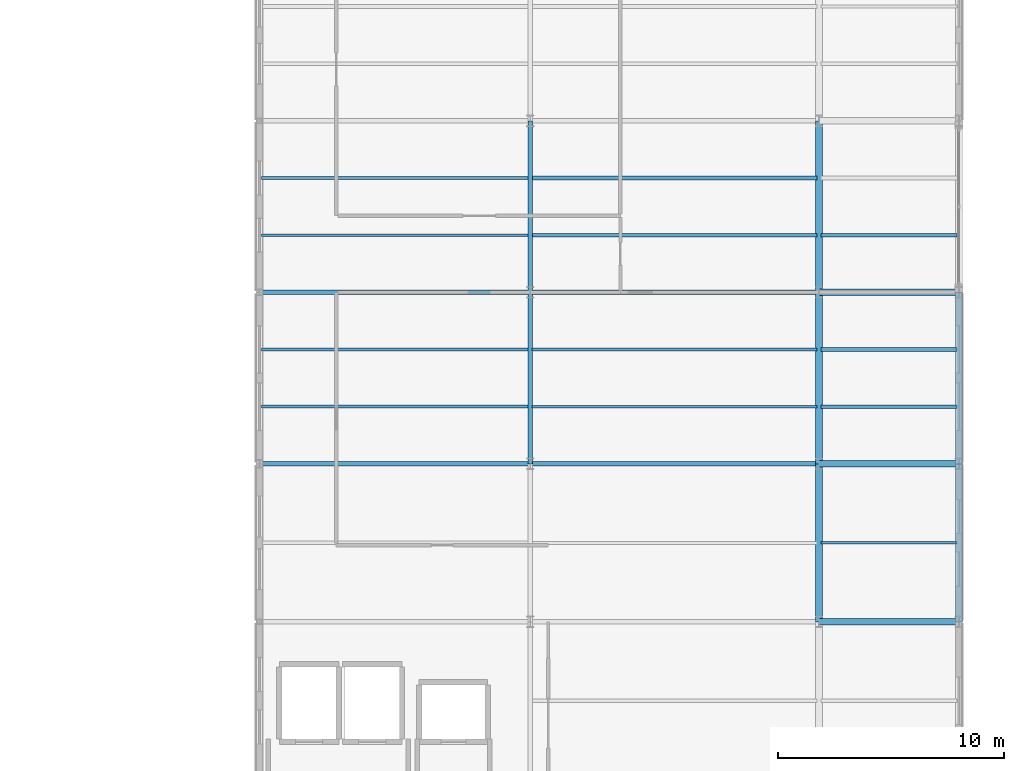
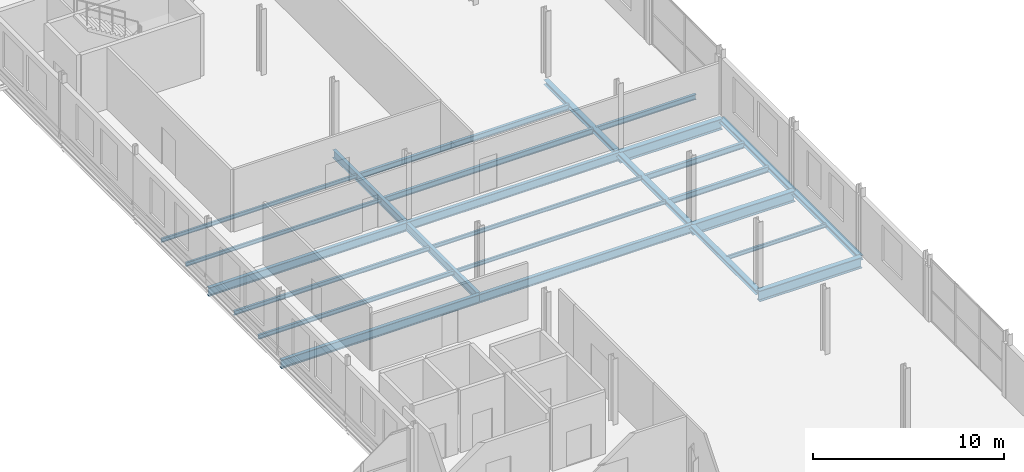
# One storey, part 65 of 101: 26 beams.
"""IFC4 building model written with IfcOpenShell, lengths in metres."""

from ifc_helpers import new_model, si_unit, direction, frame, origin, origin_2d, place, context, subcontext, project, spatial, i_section, extrude, material, material_profile, profile_set, type_object, element, save


model = new_model("IFC4")

# Units and contexts
model_context = context("Model", 3, precision=1e-05, world=origin(), true_north=direction((0.0, 1.0)))
body_context = subcontext(model_context, "Body", "Model", "MODEL_VIEW")
ifc_project = project(units=[si_unit("LENGTHUNIT", "METRE"), si_unit("AREAUNIT", "SQUARE_METRE"), si_unit("VOLUMEUNIT", "CUBIC_METRE"), si_unit("PLANEANGLEUNIT", "RADIAN"), si_unit("MASSUNIT", "GRAM", prefix="KILO")], contexts=[model_context])

# Site, building, storey
site_placement = place(None, origin())
site = spatial("IfcSite", under=ifc_project, at=site_placement, CompositionType="ELEMENT")
building_placement = place(site_placement, origin())
building = spatial("IfcBuilding", under=site, at=building_placement, Name="Vekula Escarpment Museum", CompositionType="ELEMENT")
storey_placement = place(building_placement, frame((0.0, 0.0, 18.0)))
storey = spatial("IfcBuildingStorey", under=building, at=storey_placement, Name="L04", CompositionType="ELEMENT", Elevation=18.0)

# Beams
ifc_material_1 = material(Name="Steel S355", Category="steel")
ifc_material_profile_1 = material_profile(ifc_material_1, i_section(OverallWidth=0.300048828125, OverallDepth=0.699951171875, WebThickness=0.01708984375, FlangeThickness=0.031982421875, FilletRadius=0.027099609375, at=origin_2d()), Name="HEB 700")
ifc_profile_set_1 = profile_set([ifc_material_profile_1], Name="Steel S355")
beam_type_1 = type_object("IfcBeamType", Name="BM-GIRD-HEB700", PredefinedType="BEAM", material=ifc_profile_set_1)
for number, where, z_axis, x_axis, name in (
    (1, (191.800048828125, 83.39990234375, -0.6298828125), (1.0, 0.0, 0.0), (0.0, 1.0, 0.0), "Beam X L04 1780"),
    (2, (191.800048828125, 90.39990234375, -0.6298828125), (1.0, 0.0, 0.0), (0.0, 1.0, 0.0), "Beam X L04 1791"),
    (3, (191.800048828125, 98.0, -0.6298828125), (1.0, 0.0, 0.0), (0.0, 1.0, 0.0), "Beam X L04 1795"),
):
    element("IfcBeam", number, at=place(storey_placement, frame(where, z_axis=z_axis, x_axis=x_axis)), inside=storey, type_object=beam_type_1, Name=name, PredefinedType="BEAM", context=body_context, shape_type="SweptSolid", body=[
        extrude(i_section(OverallWidth=0.300048828125, OverallDepth=0.699951171875, WebThickness=0.01708984375, FlangeThickness=0.031982421875, FilletRadius=0.027099609375, at=origin_2d()), origin(), (0.0, 0.0, 1.0), 6.199951171875),
    ])
ifc_material_2 = material(Name="Steel S355", Category="steel")
ifc_material_profile_2 = material_profile(ifc_material_2, i_section(OverallWidth=0.199951171875, OverallDepth=0.5, WebThickness=0.01025390625, FlangeThickness=0.01611328125, FilletRadius=0.02099609375, at=origin_2d()), Name="IPE 500")
ifc_profile_set_2 = profile_set([ifc_material_profile_2], Name="Steel S355")
beam_type_2 = type_object("IfcBeamType", Name="BM-GIRD-IPE500", PredefinedType="BEAM", material=ifc_profile_set_2)
for number, where, z_axis, x_axis, name in (
    (4, (179.0, 90.39990234375, -0.530029296875), (0.0, 1.0, 0.0), (-1.0, 0.0, 0.0), "Beam Y L04 1935"),
    (5, (179.0, 98.0, -0.530029296875), (0.0, 1.0, 0.0), (-1.0, 0.0, 0.0), "Beam Y L04 1936"),
):
    element("IfcBeam", number, at=place(storey_placement, frame(where, z_axis=z_axis, x_axis=x_axis)), inside=storey, type_object=beam_type_2, Name=name, PredefinedType="BEAM", context=body_context, shape_type="SweptSolid", body=[
        extrude(i_section(OverallWidth=0.199951171875, OverallDepth=0.5, WebThickness=0.01025390625, FlangeThickness=0.01611328125, FilletRadius=0.02099609375, at=origin_2d()), origin(), (0.0, 0.0, 1.0), 7.60009765625),
    ])
ifc_material_3 = material(Name="Steel S355", Category="steel")
ifc_material_profile_3 = material_profile(ifc_material_3, i_section(OverallWidth=0.2099609375, OverallDepth=0.550048828125, WebThickness=0.010986328125, FlangeThickness=0.01708984375, FilletRadius=0.02392578125, at=origin_2d()), Name="IPE 550")
ifc_profile_set_3 = profile_set([ifc_material_profile_3], Name="Steel S355")
beam_type_3 = type_object("IfcBeamType", Name="BM-GIRD-IPE550", PredefinedType="BEAM", material=ifc_profile_set_3)
beam_1_placement = place(storey_placement, frame((167.0, 90.39990234375, -0.554931640625), z_axis=(1.0, 0.0, 0.0), x_axis=(0.0, 1.0, 0.0)))
element("IfcBeam", 6, at=beam_1_placement, inside=storey, type_object=beam_type_3, Name="Beam X L04 1789", PredefinedType="BEAM", context=body_context, shape_type="SweptSolid", body=[
    extrude(i_section(OverallWidth=0.2099609375, OverallDepth=0.550048828125, WebThickness=0.010986328125, FlangeThickness=0.01708984375, FilletRadius=0.02392578125, at=origin_2d()), origin(), (0.0, 0.0, 1.0), 12.0),
])
beam_2_placement = place(storey_placement, frame((179.0, 90.39990234375, -0.554931640625), z_axis=(1.0, 0.0, 0.0), x_axis=(0.0, 1.0, 0.0)))
element("IfcBeam", 7, at=beam_2_placement, inside=storey, type_object=beam_type_3, Name="Beam X L04 1790", PredefinedType="BEAM", context=body_context, shape_type="SweptSolid", body=[
    extrude(i_section(OverallWidth=0.2099609375, OverallDepth=0.550048828125, WebThickness=0.010986328125, FlangeThickness=0.01708984375, FilletRadius=0.02392578125, at=origin_2d()), origin(), (0.0, 0.0, 1.0), 12.800048828125),
])
beam_3_placement = place(storey_placement, frame((167.0, 98.0, -0.554931640625), z_axis=(1.0, 0.0, 0.0), x_axis=(0.0, 1.0, 0.0)))
element("IfcBeam", 8, at=beam_3_placement, inside=storey, type_object=beam_type_3, Name="Beam X L04 1793", PredefinedType="BEAM", context=body_context, shape_type="SweptSolid", body=[
    extrude(i_section(OverallWidth=0.2099609375, OverallDepth=0.550048828125, WebThickness=0.010986328125, FlangeThickness=0.01708984375, FilletRadius=0.02392578125, at=origin_2d()), origin(), (0.0, 0.0, 1.0), 12.0),
])
beam_4_placement = place(storey_placement, frame((179.0, 98.0, -0.554931640625), z_axis=(1.0, 0.0, 0.0), x_axis=(0.0, 1.0, 0.0)))
element("IfcBeam", 9, at=beam_4_placement, inside=storey, type_object=beam_type_3, Name="Beam X L04 1794", PredefinedType="BEAM", context=body_context, shape_type="SweptSolid", body=[
    extrude(i_section(OverallWidth=0.2099609375, OverallDepth=0.550048828125, WebThickness=0.010986328125, FlangeThickness=0.01708984375, FilletRadius=0.02392578125, at=origin_2d()), origin(), (0.0, 0.0, 1.0), 12.800048828125),
])
ifc_material_4 = material(Name="Steel S355", Category="steel")
ifc_material_profile_4 = material_profile(ifc_material_4, i_section(OverallWidth=0.1201171875, OverallDepth=0.239990234375, WebThickness=0.006103515625, FlangeThickness=0.009765625, FilletRadius=0.014892578125, at=origin_2d()), Name="IPE 240")
ifc_profile_set_4 = profile_set([ifc_material_profile_4], Name="Steel S355")
beam_type_4 = type_object("IfcBeamType", Name="BM-JST-IPE240", PredefinedType="JOIST", material=ifc_profile_set_4)
for number, where, z_axis, x_axis, name in (
    (10, (167.090087890625, 100.533203125, -0.39990234375), (1.0, 0.0, 0.0), (0.0, 1.0, 0.0), "Secondary Joist L04 1253"),
    (11, (167.090087890625, 103.066650390625, -0.39990234375), (1.0, 0.0, 0.0), (0.0, 1.0, 0.0), "Secondary Joist L04 1254"),
):
    element("IfcBeam", number, at=place(storey_placement, frame(where, z_axis=z_axis, x_axis=x_axis)), inside=storey, type_object=beam_type_4, Name=name, PredefinedType="JOIST", context=body_context, shape_type="SweptSolid", body=[
        extrude(i_section(OverallWidth=0.1201171875, OverallDepth=0.239990234375, WebThickness=0.006103515625, FlangeThickness=0.009765625, FilletRadius=0.014892578125, at=origin_2d()), origin(), (0.0, 0.0, 1.0), 11.81982421875),
    ])
for number, where, z_axis, x_axis, name in (
    (12, (179.090087890625, 92.933349609375, -0.39990234375), (1.0, 0.0, 0.0), (0.0, 1.0, 0.0), "Secondary Joist L04 1266"),
    (13, (179.090087890625, 95.466796875, -0.39990234375), (1.0, 0.0, 0.0), (0.0, 1.0, 0.0), "Secondary Joist L04 1267"),
):
    element("IfcBeam", number, at=place(storey_placement, frame(where, z_axis=z_axis, x_axis=x_axis)), inside=storey, type_object=beam_type_4, Name=name, PredefinedType="JOIST", context=body_context, shape_type="SweptSolid", body=[
        extrude(i_section(OverallWidth=0.1201171875, OverallDepth=0.239990234375, WebThickness=0.006103515625, FlangeThickness=0.009765625, FilletRadius=0.014892578125, at=origin_2d()), origin(), (0.0, 0.0, 1.0), 12.619873046875),
    ])
beam_5_placement = place(storey_placement, frame((191.889892578125, 86.89990234375, -0.39990234375), z_axis=(1.0, 0.0, 0.0), x_axis=(0.0, 1.0, 0.0)))
element("IfcBeam", 14, at=beam_5_placement, inside=storey, type_object=beam_type_4, Name="Secondary Joist L04 1281", PredefinedType="JOIST", context=body_context, shape_type="SweptSolid", body=[
    extrude(i_section(OverallWidth=0.1201171875, OverallDepth=0.239990234375, WebThickness=0.006103515625, FlangeThickness=0.009765625, FilletRadius=0.014892578125, at=origin_2d()), origin(), (0.0, 0.0, 1.0), 6.02001953125),
])
ifc_material_5 = material(Name="Steel S355", Category="steel")
ifc_material_profile_5 = material_profile(ifc_material_5, i_section(OverallWidth=0.135009765625, OverallDepth=0.27001953125, WebThickness=0.006591796875, FlangeThickness=0.01025390625, FilletRadius=0.014892578125, at=origin_2d()), Name="IPE 270")
ifc_profile_set_5 = profile_set([ifc_material_profile_5], Name="Steel S355")
beam_type_5 = type_object("IfcBeamType", Name="BM-JST-IPE270", PredefinedType="JOIST", material=ifc_profile_set_5)
for number, where, z_axis, x_axis, name in (
    (15, (167.090087890625, 92.933349609375, -0.4150390625), (1.0, 0.0, 0.0), (0.0, 1.0, 0.0), "Secondary Joist L04 1251"),
    (16, (167.090087890625, 95.466796875, -0.4150390625), (1.0, 0.0, 0.0), (0.0, 1.0, 0.0), "Secondary Joist L04 1252"),
):
    element("IfcBeam", number, at=place(storey_placement, frame(where, z_axis=z_axis, x_axis=x_axis)), inside=storey, type_object=beam_type_5, Name=name, PredefinedType="JOIST", context=body_context, shape_type="SweptSolid", body=[
        extrude(i_section(OverallWidth=0.135009765625, OverallDepth=0.27001953125, WebThickness=0.006591796875, FlangeThickness=0.01025390625, FilletRadius=0.014892578125, at=origin_2d()), origin(), (0.0, 0.0, 1.0), 11.81982421875),
    ])
ifc_material_6 = material(Name="Steel S355", Category="steel")
ifc_material_profile_6 = material_profile(ifc_material_6, i_section(OverallWidth=0.159912109375, OverallDepth=0.330078125, WebThickness=0.007568359375, FlangeThickness=0.011474609375, FilletRadius=0.01806640625, at=origin_2d()), Name="IPE 330")
ifc_profile_set_6 = profile_set([ifc_material_profile_6], Name="Steel S355")
beam_type_6 = type_object("IfcBeamType", Name="BM-JST-IPE330", PredefinedType="JOIST", material=ifc_profile_set_6)
beam_6_placement = place(storey_placement, frame((191.889892578125, 100.533203125, -0.445068359375), z_axis=(1.0, 0.0, 0.0), x_axis=(0.0, 1.0, 0.0)))
element("IfcBeam", 17, at=beam_6_placement, inside=storey, type_object=beam_type_6, Name="Secondary Joist L04 1284", PredefinedType="JOIST", context=body_context, shape_type="SweptSolid", body=[
    extrude(i_section(OverallWidth=0.159912109375, OverallDepth=0.330078125, WebThickness=0.007568359375, FlangeThickness=0.011474609375, FilletRadius=0.01806640625, at=origin_2d()), origin(), (0.0, 0.0, 1.0), 6.02001953125),
])
ifc_material_7 = material(Name="Steel S355", Category="steel")
ifc_material_profile_7 = material_profile(ifc_material_7, i_section(OverallWidth=0.169921875, OverallDepth=0.360107421875, WebThickness=0.008056640625, FlangeThickness=0.0126953125, FilletRadius=0.01806640625, at=origin_2d()), Name="IPE 360")
ifc_profile_set_7 = profile_set([ifc_material_profile_7], Name="Steel S355")
beam_type_7 = type_object("IfcBeamType", Name="BM-JST-IPE360", PredefinedType="JOIST", material=ifc_profile_set_7)
for number, where, z_axis, x_axis, name in (
    (18, (179.090087890625, 100.533203125, -0.4599609375), (1.0, 0.0, 0.0), (0.0, 1.0, 0.0), "Secondary Joist L04 1268"),
    (19, (179.090087890625, 103.066650390625, -0.4599609375), (1.0, 0.0, 0.0), (0.0, 1.0, 0.0), "Secondary Joist L04 1269"),
):
    element("IfcBeam", number, at=place(storey_placement, frame(where, z_axis=z_axis, x_axis=x_axis)), inside=storey, type_object=beam_type_7, Name=name, PredefinedType="JOIST", context=body_context, shape_type="SweptSolid", body=[
        extrude(i_section(OverallWidth=0.169921875, OverallDepth=0.360107421875, WebThickness=0.008056640625, FlangeThickness=0.0126953125, FilletRadius=0.01806640625, at=origin_2d()), origin(), (0.0, 0.0, 1.0), 12.619873046875),
    ])
for number, where, z_axis, x_axis, name in (
    (20, (191.889892578125, 92.933349609375, -0.4599609375), (1.0, 0.0, 0.0), (0.0, 1.0, 0.0), "Secondary Joist L04 1282"),
    (21, (191.889892578125, 95.466796875, -0.4599609375), (1.0, 0.0, 0.0), (0.0, 1.0, 0.0), "Secondary Joist L04 1283"),
):
    element("IfcBeam", number, at=place(storey_placement, frame(where, z_axis=z_axis, x_axis=x_axis)), inside=storey, type_object=beam_type_7, Name=name, PredefinedType="JOIST", context=body_context, shape_type="SweptSolid", body=[
        extrude(i_section(OverallWidth=0.169921875, OverallDepth=0.360107421875, WebThickness=0.008056640625, FlangeThickness=0.0126953125, FilletRadius=0.01806640625, at=origin_2d()), origin(), (0.0, 0.0, 1.0), 6.02001953125),
    ])
ifc_material_8 = material(Name="Steel S355", Category="steel")
ifc_material_profile_8 = material_profile(ifc_material_8, i_section(OverallWidth=0.300048828125, OverallDepth=0.2900390625, WebThickness=0.008544921875, FlangeThickness=0.013916015625, FilletRadius=0.027099609375, at=origin_2d()), Name="HEA 300")
ifc_profile_set_8 = profile_set([ifc_material_profile_8], Name="Steel S355")
beam_type_8 = type_object("IfcBeamType", Name="BM-SPAN-HEA300", PredefinedType="SPANDREL", material=ifc_profile_set_8)
beam_7_placement = place(storey_placement, frame((191.800048828125, 83.39990234375, -0.425048828125), z_axis=(0.0, 1.0, 0.0), x_axis=(-1.0, 0.0, 0.0)))
element("IfcBeam", 22, at=beam_7_placement, inside=storey, type_object=beam_type_8, Name="Beam Y L04 1944", PredefinedType="SPANDREL", context=body_context, shape_type="SweptSolid", body=[
    extrude(i_section(OverallWidth=0.300048828125, OverallDepth=0.2900390625, WebThickness=0.008544921875, FlangeThickness=0.013916015625, FilletRadius=0.027099609375, at=origin_2d()), origin(), (0.0, 0.0, 1.0), 7.0),
])
for number, where, z_axis, x_axis, name in (
    (23, (191.800048828125, 90.39990234375, -0.425048828125), (0.0, 1.0, 0.0), (-1.0, 0.0, 0.0), "Beam Y L04 1945"),
    (24, (191.800048828125, 98.0, -0.425048828125), (0.0, 1.0, 0.0), (-1.0, 0.0, 0.0), "Beam Y L04 1946"),
):
    element("IfcBeam", number, at=place(storey_placement, frame(where, z_axis=z_axis, x_axis=x_axis)), inside=storey, type_object=beam_type_8, Name=name, PredefinedType="SPANDREL", context=body_context, shape_type="SweptSolid", body=[
        extrude(i_section(OverallWidth=0.300048828125, OverallDepth=0.2900390625, WebThickness=0.008544921875, FlangeThickness=0.013916015625, FilletRadius=0.027099609375, at=origin_2d()), origin(), (0.0, 0.0, 1.0), 7.60009765625),
    ])
beam_8_placement = place(storey_placement, frame((198.0, 83.39990234375, -0.425048828125), z_axis=(0.0, 1.0, 0.0), x_axis=(-1.0, 0.0, 0.0)))
element("IfcBeam", 25, at=beam_8_placement, inside=storey, type_object=beam_type_8, Name="Beam Y L04 1953", PredefinedType="SPANDREL", context=body_context, shape_type="SweptSolid", body=[
    extrude(i_section(OverallWidth=0.300048828125, OverallDepth=0.2900390625, WebThickness=0.008544921875, FlangeThickness=0.013916015625, FilletRadius=0.027099609375, at=origin_2d()), origin(), (0.0, 0.0, 1.0), 7.0),
])
beam_9_placement = place(storey_placement, frame((198.0, 90.39990234375, -0.425048828125), z_axis=(0.0, 1.0, 0.0), x_axis=(-1.0, 0.0, 0.0)))
element("IfcBeam", 26, at=beam_9_placement, inside=storey, type_object=beam_type_8, Name="Beam Y L04 1954", PredefinedType="SPANDREL", context=body_context, shape_type="SweptSolid", body=[
    extrude(i_section(OverallWidth=0.300048828125, OverallDepth=0.2900390625, WebThickness=0.008544921875, FlangeThickness=0.013916015625, FilletRadius=0.027099609375, at=origin_2d()), origin(), (0.0, 0.0, 1.0), 7.60009765625),
])

save(model, "model.ifc")
